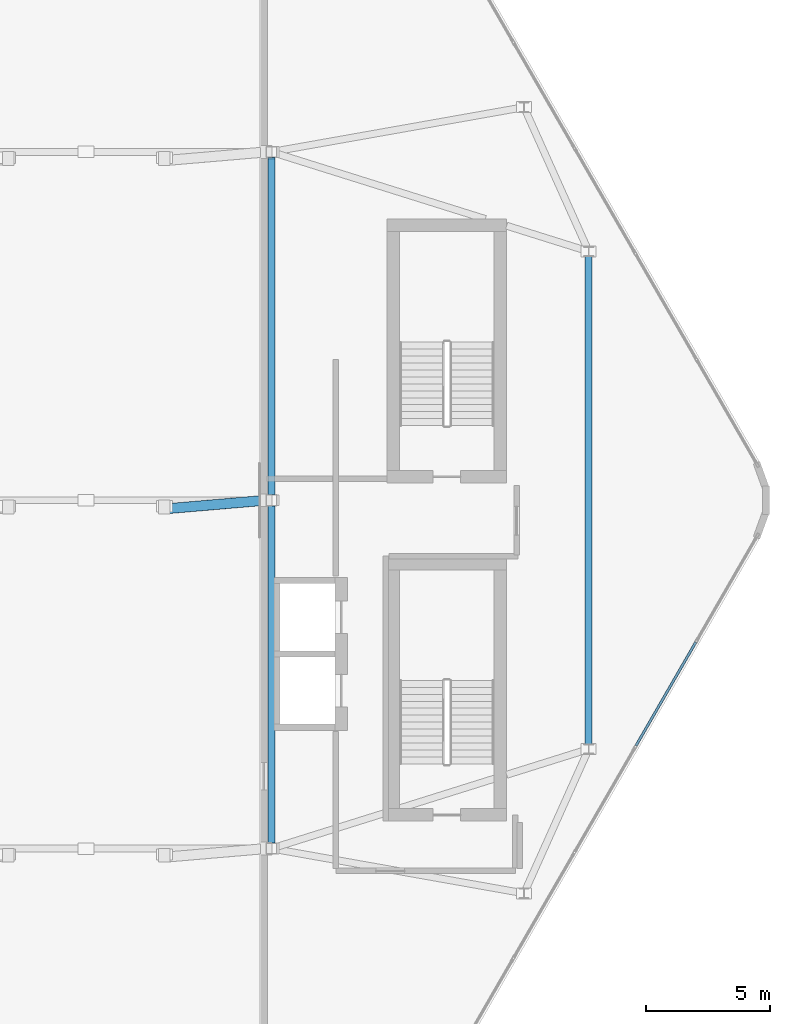
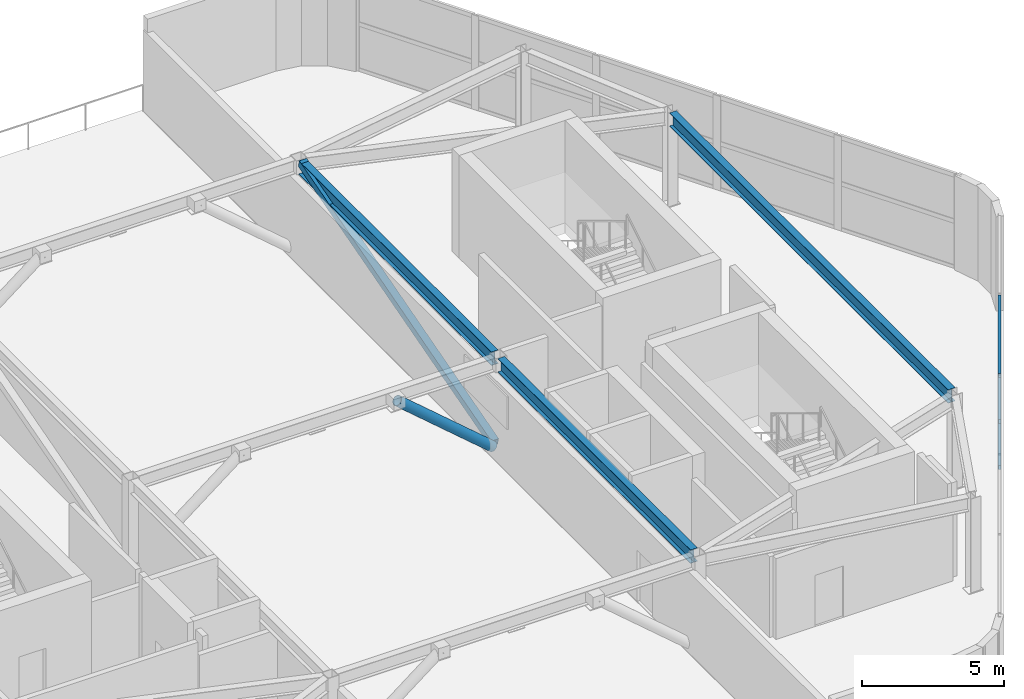
# One storey, part 8 of 17: 5 members, 3 beams, 1 element without a shape of its own.
"""IFC4 building model written with IfcOpenShell, lengths in metres."""

import ifcopenshell
import ifcopenshell.guid

model = None  # the IFC model being written
_history = None  # IfcOwnerHistory: only IFC2X3 demands one
_inside = {}  # id of a spatial element -> (the spatial element, [elements in it])
_under = {}  # id of a project, library or spatial element -> (it, [spatial elements below it])
_declared = {}  # id of a project -> (the project, [libraries it declares])
_typed = {}  # id of a type object -> (the type object, [elements of that type])
_made_of = {}  # id of a material, layer set ... -> (it, [elements and type objects made of it])


def new_model(schema):
    """Start an empty IFC model of exactly this schema.

    Asked for "IFC4X3", IfcOpenShell would pick the latest addendum, in which some entities
    have other attributes; the version numbers below select the first issue.
    IFC2X3 requires an IfcOwnerHistory on every rooted entity: one is made here for all.
    """
    global model, _history
    if schema == "IFC4X3":
        model = ifcopenshell.file(schema_version=(4, 3, 0, 0))
    else:
        model = ifcopenshell.file(schema=schema)
    _inside.clear()
    _under.clear()
    _declared.clear()
    _typed.clear()
    _made_of.clear()
    _history = None
    if model.schema == "IFC2X3":
        org = make("IfcOrganization", Name="unknown")
        user = make(
            "IfcPersonAndOrganization",
            ThePerson=make("IfcPerson", FamilyName="unknown"),
            TheOrganization=org,
        )
        app = make(
            "IfcApplication",
            ApplicationDeveloper=org,
            Version="unknown",
            ApplicationFullName="unknown",
            ApplicationIdentifier="unknown",
        )
        _history = make(
            "IfcOwnerHistory",
            OwningUser=user,
            OwningApplication=app,
            ChangeAction="ADDED",
            CreationDate=0,
        )
    return model


def make(cls, **values):
    """One entity of the class cls with the attributes given. An attribute that is None is left unset."""
    return model.create_entity(
        cls, **{name: value for name, value in values.items() if value is not None}
    )


def rooted(cls, **values):
    """An entity with a GlobalId (a new one), such as an element, a storey or a relation."""
    return make(cls, GlobalId=ifcopenshell.guid.new(), OwnerHistory=_history, **values)


def si_unit(unit_type, name, prefix=None):
    """IfcSIUnit, for example si_unit("LENGTHUNIT", "METRE", prefix="MILLI")."""
    return make("IfcSIUnit", UnitType=unit_type, Prefix=prefix, Name=name)


def assignment(units):
    """IfcUnitAssignment: the units of a project."""
    return None if units is None else make("IfcUnitAssignment", Units=units)


def point(xyz):
    """IfcCartesianPoint."""
    return None if xyz is None else make("IfcCartesianPoint", Coordinates=xyz)


def direction(xyz):
    """IfcDirection."""
    return None if xyz is None else make("IfcDirection", DirectionRatios=xyz)


def frame(location, z_axis=None, x_axis=None):
    """IfcAxis2Placement3D, a coordinate frame: its origin and axes. An axis left out is left unset."""
    return make(
        "IfcAxis2Placement3D",
        Location=point(location),
        Axis=direction(z_axis),
        RefDirection=direction(x_axis),
    )


def frame_2d(location, x_axis=None):
    """IfcAxis2Placement2D, a coordinate frame in the plane: its origin and x axis."""
    return make(
        "IfcAxis2Placement2D", Location=point(location), RefDirection=direction(x_axis)
    )


def origin():
    """The frame at (0, 0, 0) with its axes left unset."""
    return frame((0.0, 0.0, 0.0))


def origin_2d():
    """The frame at (0, 0) in the plane with its x axis left unset."""
    return frame_2d((0.0, 0.0))


def place(relative_to, where):
    """IfcLocalPlacement: puts the frame where relative to a parent placement (None: the world)."""
    return make(
        "IfcLocalPlacement", PlacementRelTo=relative_to, RelativePlacement=where
    )


def context(
    kind, dimensions, precision=None, world=None, true_north=None, identifier=None
):
    """IfcGeometricRepresentationContext, for example the 3D "Model" context."""
    return make(
        "IfcGeometricRepresentationContext",
        ContextIdentifier=identifier,
        ContextType=kind,
        CoordinateSpaceDimension=dimensions,
        Precision=precision,
        WorldCoordinateSystem=world,
        TrueNorth=true_north,
    )


def subcontext(parent, identifier, kind, view, scale=None):
    """IfcGeometricRepresentationSubContext, for example "Body" below "Model"."""
    return make(
        "IfcGeometricRepresentationSubContext",
        ContextIdentifier=identifier,
        ContextType=kind,
        ParentContext=parent,
        TargetScale=scale,
        TargetView=view,
    )


def project(units=None, contexts=None):
    """IfcProject with its units and contexts."""
    return rooted(
        "IfcProject",
        Name="project",
        RepresentationContexts=contexts,
        UnitsInContext=assignment(units),
    )


def spatial(cls, under=None, at=None, **own):
    """A site, building, storey or space (cls), placed at a placement, below another one or the project."""
    s = rooted(cls, ObjectPlacement=at, **own)
    if under is not None:
        _under.setdefault(under.id(), (under, []))[1].append(s)
    return s


def profile(cls, at=None, kind="AREA", **sizes):
    """A parametric profile (cls). Its sizes go by their IFC names, for example OverallWidth=200.0."""
    return make(cls, ProfileType=kind, Position=at, **sizes)


def hollow_rectangle(**sizes):
    """IfcRectangleHollowProfileDef."""
    return profile("IfcRectangleHollowProfileDef", **sizes)


def hollow_circle(**sizes):
    """IfcCircleHollowProfileDef."""
    return profile("IfcCircleHollowProfileDef", **sizes)


def i_section(**sizes):
    """IfcIShapeProfileDef."""
    return profile("IfcIShapeProfileDef", **sizes)


def extrude(swept, where, along, depth):
    """IfcExtrudedAreaSolid: the profile swept, set in the frame where, extruded along a direction by depth."""
    return make(
        "IfcExtrudedAreaSolid",
        SweptArea=swept,
        Position=where,
        ExtrudedDirection=direction(along),
        Depth=depth,
    )


def shape(context_of_items, identifier, shape_type, items):
    """IfcShapeRepresentation: the items that make up one representation, for example the "Body"."""
    return make(
        "IfcShapeRepresentation",
        ContextOfItems=context_of_items,
        RepresentationIdentifier=identifier,
        RepresentationType=shape_type,
        Items=items,
    )


def material(Name=None, Category=None):
    """IfcMaterial."""
    return make("IfcMaterial", Name=Name, Category=Category)


def material_profile(
    of_material, cross_section, Name=None, Category=None, Priority=None
):
    """IfcMaterialProfile: a cross section and its material."""
    return make(
        "IfcMaterialProfile",
        Name=Name,
        Material=of_material,
        Profile=cross_section,
        Priority=Priority,
        Category=Category,
    )


def profile_set(profiles, Name=None, composite=None):
    """IfcMaterialProfileSet."""
    return make(
        "IfcMaterialProfileSet",
        Name=Name,
        MaterialProfiles=profiles,
        CompositeProfile=composite,
    )


def made_of(thing, what):
    """Note that an element or type object is made of a material, layer set ...; save() writes the relation."""
    if what is not None:
        _made_of.setdefault(what.id(), (what, []))[1].append(thing)
    return thing


def type_object(cls, material=None, **own):
    """A type object (cls), such as IfcWallType, which elements share."""
    return made_of(rooted(cls, **own), material)


def element(
    cls,
    number,
    at=None,
    inside=None,
    cuts=None,
    type_object=None,
    material=None,
    context=None,
    identifier="Body",
    shape_type=None,
    held_by="IfcProductDefinitionShape",
    body=None,
    shapes=None,
    **own,
):
    """One element of the class cls, such as IfcWall. Its Tag is "e" and its number.

    at: its placement. inside: the storey or other place that contains it. cuts: it is an
    opening in that element (IfcRelVoidsElement). A single representation is given by context,
    identifier, shape_type and body (its items); several are given by shapes. held_by: the class
    of the entity that holds the representations. save() writes the other relations.
    """
    e = rooted(cls, Tag="e%d" % number, ObjectPlacement=at, **own)
    if body is not None:
        shapes = [shape(context, identifier, shape_type, body)]
    if shapes is not None:
        e.Representation = make(held_by, Representations=shapes)
    if inside is not None:
        _inside.setdefault(inside.id(), (inside, []))[1].append(e)
    if cuts is not None:
        rooted(
            "IfcRelVoidsElement", RelatingBuildingElement=cuts, RelatedOpeningElement=e
        )
    if type_object is not None:
        _typed.setdefault(type_object.id(), (type_object, []))[1].append(e)
    return made_of(e, material)


def aggregate(whole, parts):
    """IfcRelAggregates: a whole, such as a stair, and the parts it consists of."""
    return rooted("IfcRelAggregates", RelatingObject=whole, RelatedObjects=parts)


def save(model, path):
    """Write the relations noted so far, then the file.

    IfcRelAggregates (storeys below a building ...), IfcRelContainedInSpatialStructure (elements
    in a storey), IfcRelDefinesByType, IfcRelAssociatesMaterial and IfcRelDeclares: one each for
    every whole, place, type object, material and project.
    """
    for whole, parts in _under.values():
        aggregate(whole, parts)
    for where, things in _inside.values():
        rooted(
            "IfcRelContainedInSpatialStructure",
            RelatedElements=things,
            RelatingStructure=where,
        )
    for kind, things in _typed.values():
        rooted("IfcRelDefinesByType", RelatedObjects=things, RelatingType=kind)
    for what, things in _made_of.values():
        rooted("IfcRelAssociatesMaterial", RelatedObjects=things, RelatingMaterial=what)
    for by, libraries in _declared.values():
        rooted("IfcRelDeclares", RelatingContext=by, RelatedDefinitions=libraries)
    model.write(path)


model = new_model("IFC4")

# Units and contexts
model_context = context("Model", 3, precision=1e-05, world=origin(), true_north=direction((0.0, 1.0)))
body_context = subcontext(model_context, "Body", "Model", "MODEL_VIEW")
ifc_project = project(units=[si_unit("LENGTHUNIT", "METRE"), si_unit("AREAUNIT", "SQUARE_METRE"), si_unit("VOLUMEUNIT", "CUBIC_METRE"), si_unit("PLANEANGLEUNIT", "RADIAN"), si_unit("MASSUNIT", "GRAM", prefix="KILO")], contexts=[model_context])

# Site, building, storey
site_placement = place(None, origin())
site = spatial("IfcSite", under=ifc_project, at=site_placement, CompositionType="ELEMENT")
building_placement = place(site_placement, origin())
building = spatial("IfcBuilding", under=site, at=building_placement, Name="Zuhravey Tower", CompositionType="ELEMENT")
storey_placement = place(building_placement, frame((0.0, 0.0, 361.39990234375)))
storey = spatial("IfcBuildingStorey", under=building, at=storey_placement, Name="L92", CompositionType="ELEMENT", Elevation=361.39990234375)

# Member
ifc_material_1 = material(Name="Steel SM355", Category="steel")
ifc_material_profile_1 = material_profile(ifc_material_1, hollow_rectangle(XDim=0.300048828125, YDim=0.300048828125, WallThickness=0.01611328125, at=origin_2d()), Name="RHS-300x300x16")
ifc_profile_set_1 = profile_set([ifc_material_profile_1], Name="Steel SM355")
member_type_1 = type_object("IfcMemberType", Name="Crown Frame Strut RHS300x300", PredefinedType="STRUT", material=ifc_profile_set_1)
member_1_placement = place(storey_placement, frame((43.449951171875, 32.249267578125, 0.10546875), z_axis=(0.0, 0.961870384353, 0.273505692271), x_axis=(-1.0, 0.0, 0.0)))
element("IfcMember", 1, at=member_1_placement, inside=storey, type_object=member_type_1, Name="L92 East Crest Portal Frame Strut CFS1", PredefinedType="STRUT", context=body_context, shape_type="SweptSolid", body=[
    extrude(hollow_rectangle(XDim=0.300048828125, YDim=0.300048828125, WallThickness=0.01611328125, at=origin_2d()), origin(), (0.0, 0.0, 1.0), 14.03662109375),
])

# Beams
ifc_material_profile_2 = material_profile(ifc_material_1, i_section(OverallWidth=0.280029296875, OverallDepth=0.580078125, WebThickness=0.011962890625, FlangeThickness=0.01904296875, at=origin_2d()), Name="H-580x280x12x19")
ifc_profile_set_2 = profile_set([ifc_material_profile_2], Name="Steel SM355")
beam_type = type_object("IfcBeamType", Name="Perimeter Ring Beam H580x280", PredefinedType="BEAM", material=ifc_profile_set_2)
beam_placement = place(storey_placement, frame((56.199951171875, 22.2041015625, 3.760009765625), z_axis=(0.0, 1.0, 0.0), x_axis=(-1.0, 0.0, 0.0)))
element("IfcBeam", 2, at=beam_placement, inside=storey, type_object=beam_type, Name="L92 PB4 BM-L92-ECR-0-1", PredefinedType="BEAM", context=body_context, shape_type="SweptSolid", body=[
    extrude(i_section(OverallWidth=0.280029296875, OverallDepth=0.580078125, WebThickness=0.011962890625, FlangeThickness=0.01904296875, at=origin_2d()), origin(), (0.0, 0.0, 1.0), 19.591796875),
])
for number, where, z_axis, x_axis, name in (
    (3, (43.449951171875, 18.22900390625, 3.760009765625), (0.0, 1.0, 0.0), (-1.0, 0.0, 0.0), "L92 PB4 BM-L92-ECR-4-5"),
    (4, (43.449951171875, 32.22900390625, 3.760009765625), (0.0, 1.0, 0.0), (-1.0, 0.0, 0.0), "L92 PB4 BM-L92-ECR-5-6"),
):
    element("IfcBeam", number, at=place(storey_placement, frame(where, z_axis=z_axis, x_axis=x_axis)), inside=storey, type_object=beam_type, Name=name, PredefinedType="BEAM", context=body_context, shape_type="SweptSolid", body=[
        extrude(i_section(OverallWidth=0.280029296875, OverallDepth=0.580078125, WebThickness=0.011962890625, FlangeThickness=0.01904296875, at=origin_2d()), origin(), (0.0, 0.0, 1.0), 13.5419921875),
    ])

# Curtain wall, members
ifc_material_2 = material(Name="Thermally broken anodised aluminium", Category="aluminium")
curtain_wall_type = type_object("IfcCurtainWallType", Name="Split-Top Crown Screened Curtain Wall CW6", PredefinedType="NOTDEFINED", material=ifc_material_2)
curtain_wall_placement = place(storey_placement, origin())
curtain_wall = element("IfcCurtainWall", 5, at=curtain_wall_placement, inside=storey, type_object=curtain_wall_type, Name="L92 CW6 CW6-L92-EAST-08", PredefinedType="NOTDEFINED")
ifc_material_3 = material(Name="Anodised aluminium", Category="aluminium")
ifc_material_profile_3 = material_profile(ifc_material_3, hollow_rectangle(XDim=0.10009765625, YDim=0.179931640625, WallThickness=0.006103515625, at=origin_2d()), Name="ALU-RHS-100x180x6")
ifc_profile_set_3 = profile_set([ifc_material_profile_3], Name="Anodised aluminium")
member_type_2 = type_object("IfcMemberType", Name="Tall-Storey Transom 100x180", PredefinedType="USERDEFINED", material=ifc_profile_set_3)
member_2_placement = place(storey_placement, frame((60.503173828125, 26.29248046875, 0.050048828125), z_axis=(-0.50003466983, -0.866005386223, 0.0), x_axis=(0.866005386223, -0.50003466983, 0.0)))
member_2 = element("IfcMember", 6, at=member_2_placement, type_object=member_type_2, Name="CW6 transom 2.1", ObjectType="TRANSOM", PredefinedType="USERDEFINED", context=body_context, shape_type="SweptSolid", body=[
    extrude(hollow_rectangle(XDim=0.10009765625, YDim=0.179931640625, WallThickness=0.006103515625, at=origin_2d()), origin(), (0.0, 0.0, 1.0), 4.805908203125),
])
member_3_placement = place(storey_placement, frame((60.503173828125, 26.29248046875, 2.025146484375), z_axis=(-0.50003466983, -0.866005386223, 0.0), x_axis=(0.866005386223, -0.50003466983, 0.0)))
member_3 = element("IfcMember", 7, at=member_3_placement, type_object=member_type_2, Name="CW6 transom 2.2", ObjectType="TRANSOM", PredefinedType="USERDEFINED", context=body_context, shape_type="SweptSolid", body=[
    extrude(hollow_rectangle(XDim=0.10009765625, YDim=0.179931640625, WallThickness=0.006103515625, at=origin_2d()), origin(), (0.0, 0.0, 1.0), 4.805908203125),
])
member_4_placement = place(storey_placement, frame((60.503173828125, 26.29248046875, 4.0), z_axis=(-0.50003466983, -0.866005386223, 0.0), x_axis=(0.866005386223, -0.50003466983, 0.0)))
member_4 = element("IfcMember", 8, at=member_4_placement, type_object=member_type_2, Name="CW6 transom 2.3", ObjectType="TRANSOM", PredefinedType="USERDEFINED", context=body_context, shape_type="SweptSolid", body=[
    extrude(hollow_rectangle(XDim=0.10009765625, YDim=0.179931640625, WallThickness=0.006103515625, at=origin_2d()), origin(), (0.0, 0.0, 1.0), 4.805908203125),
])
aggregate(curtain_wall, [member_2, member_3, member_4])

# Member
ifc_material_profile_4 = material_profile(ifc_material_1, hollow_circle(Radius=0.203125, WallThickness=0.02001953125, at=origin_2d()), Name="CHS-406.4x20")
ifc_profile_set_4 = profile_set([ifc_material_profile_4], Name="Steel SM355")
member_type_3 = type_object("IfcMemberType", Name="Wind-Portal Arch Brace CHS406x20", PredefinedType="BRACE", material=ifc_profile_set_4)
member_5_placement = place(storey_placement, frame((43.219482421875, 31.999755859375, 0.181396484375), z_axis=(-0.747122272379, -0.063852005514, 0.661612599265), x_axis=(0.085153511528, -0.996367843457, 0.0)))
element("IfcMember", 9, at=member_5_placement, inside=storey, type_object=member_type_3, Name="L92 Wind-Portal Arch Brace WPB1-2E", PredefinedType="BRACE", context=body_context, shape_type="SweptSolid", body=[
    extrude(hollow_circle(Radius=0.203125, WallThickness=0.02001953125, at=origin_2d()), origin(), (0.0, 0.0, 1.0), 5.44482421875),
])

save(model, "model.ifc")
